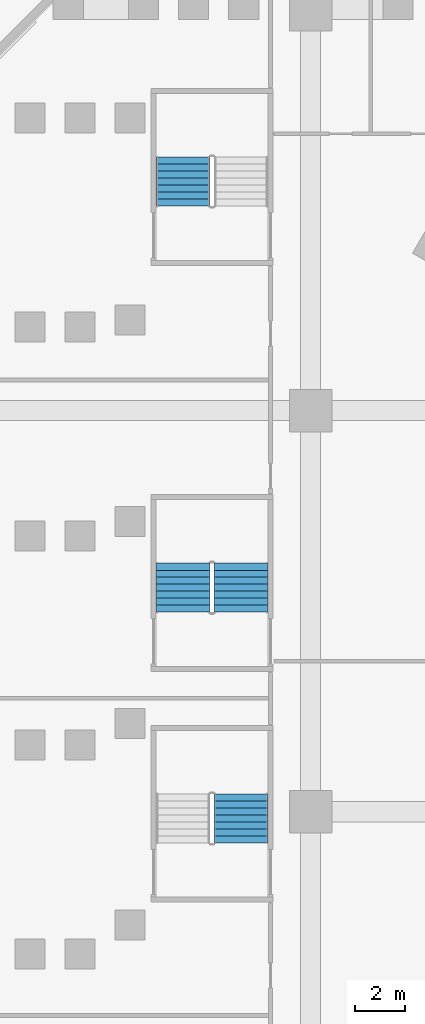
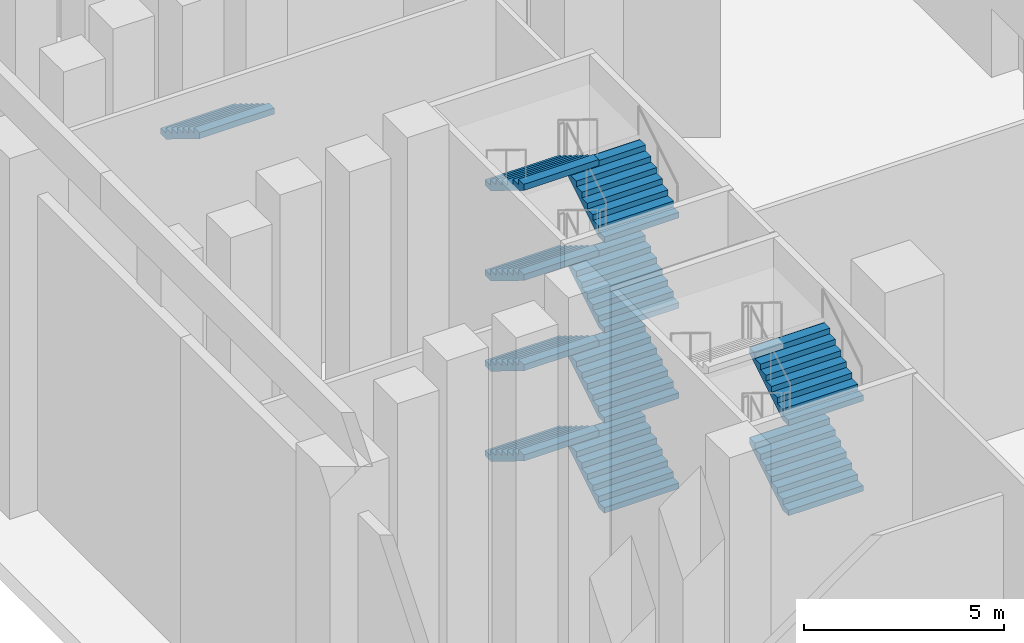
# One storey, part 15 of 31: 11 stair flights, 3 elements without a shape of their own.
"""IFC4 building model written with IfcOpenShell, lengths in metres."""

from ifc_helpers import new_model, si_unit, direction, frame, origin, place, context, subcontext, project, spatial, faceted_brep, source, transform, mapped, material, type_object, element, aggregate, save


model = new_model("IFC4")

# Units and contexts
model_context = context("Model", 3, precision=1e-05, world=origin(), true_north=direction((0.0, 1.0)))
body_context = subcontext(model_context, "Body", "Model", "MODEL_VIEW")
ifc_project = project(units=[si_unit("LENGTHUNIT", "METRE"), si_unit("AREAUNIT", "SQUARE_METRE"), si_unit("VOLUMEUNIT", "CUBIC_METRE"), si_unit("PLANEANGLEUNIT", "RADIAN"), si_unit("MASSUNIT", "GRAM", prefix="KILO")], contexts=[model_context])

# Site, building, storey
site_placement = place(None, origin())
site = spatial("IfcSite", under=ifc_project, at=site_placement, CompositionType="ELEMENT")
building_placement = place(site_placement, origin())
building = spatial("IfcBuilding", under=site, at=building_placement, Name="Calabash Gate Tower", CompositionType="ELEMENT")
storey_placement = place(building_placement, frame((0.0, 0.0, 9.0)))
storey = spatial("IfcBuildingStorey", under=building, at=storey_placement, Name="L01", CompositionType="ELEMENT", Elevation=9.0)

# Stair, stair flights
ifc_material_1 = material(Name="Concrete C40/50", Category="concrete")
stair_type = type_object("IfcStairType", Name="Public stair 64 risers of 171.9 mm", PredefinedType="HALF_TURN_STAIR", material=ifc_material_1)
stair_1_placement = place(storey_placement, origin())
stair_1 = element("IfcStair", 1, at=stair_1_placement, inside=storey, type_object=stair_type, Name="L01 Public Stair PS3", PredefinedType="HALF_TURN_STAIR")
ifc_material_2 = material(Name="Concrete C40/50", Category="concrete")
stair_flight_type = type_object("IfcStairFlightType", Name="Exit stair flight SFL", PredefinedType="STRAIGHT", material=ifc_material_2)
shared_shape = source(origin(), body_context, "Body", "Brep", [
    faceted_brep([(-0.0009765625, -1.080078125, 0.0), (0.285888671875, -1.080078125, 0.0), (1.9541015625, -1.080078125, 1.027099609375), (-0.0009765625, 1.080078125, 0.0), (1.9541015625, 1.080078125, 1.027099609375), (0.285888671875, 1.080078125, 0.0), (1.9541015625, -1.080078125, 1.215087890625), (1.952880859375, -1.080078125, 1.215087890625), (1.952880859375, 1.080078125, 1.215087890625), (1.9541015625, 1.080078125, 1.215087890625), (1.952880859375, -1.080078125, 1.203125), (1.952880859375, 1.080078125, 1.203125), (1.674072265625, -1.080078125, 1.203125), (1.674072265625, 1.080078125, 1.203125), (1.674072265625, -1.080078125, 1.03125), (1.674072265625, 1.080078125, 1.03125), (1.39501953125, -1.080078125, 1.03125), (1.39501953125, 1.080078125, 1.03125), (1.39501953125, -1.080078125, 0.859375), (1.39501953125, 1.080078125, 0.859375), (1.115966796875, -1.080078125, 0.859375), (1.115966796875, -1.080078125, 0.6875), (1.115966796875, 1.080078125, 0.6875), (1.115966796875, 1.080078125, 0.859375), (0.8369140625, -1.080078125, 0.6875), (0.8369140625, -1.080078125, 0.515625), (0.8369140625, 1.080078125, 0.515625), (0.8369140625, 1.080078125, 0.6875), (0.55810546875, -1.080078125, 0.515625), (0.55810546875, -1.080078125, 0.34375), (0.55810546875, 1.080078125, 0.34375), (0.55810546875, 1.080078125, 0.515625), (0.279052734375, -1.080078125, 0.34375), (0.279052734375, -1.080078125, 0.171875), (0.279052734375, 1.080078125, 0.171875), (0.279052734375, 1.080078125, 0.34375), (-0.0009765625, -1.080078125, 0.171875), (-0.0009765625, 1.080078125, 0.171875), (0.285888671875, -0.431884765625, 0.0), (1.9541015625, -0.431884765625, 1.027099609375), (0.285888671875, -0.370361328125, 0.0), (1.9541015625, -0.370361328125, 1.027099609375), (0.285888671875, -0.30859375, 0.0), (1.9541015625, -0.30859375, 1.027099609375), (0.285888671875, -0.246826171875, 0.0), (1.9541015625, -0.246826171875, 1.027099609375), (0.285888671875, -0.18505859375, 0.0), (1.9541015625, -0.18505859375, 1.027099609375), (0.285888671875, -0.12353515625, 0.0), (1.9541015625, -0.12353515625, 1.027099609375), (0.285888671875, -0.061767578125, 0.0), (1.9541015625, -0.061767578125, 1.027099609375), (0.285888671875, 0.0, 0.0), (1.9541015625, 0.0, 1.027099609375), (0.285888671875, 0.061767578125, 0.0), (1.9541015625, 0.061767578125, 1.027099609375), (0.285888671875, 0.12353515625, 0.0), (1.9541015625, 0.12353515625, 1.027099609375), (0.285888671875, 0.18505859375, 0.0), (1.9541015625, 0.18505859375, 1.027099609375), (0.285888671875, 0.246826171875, 0.0), (1.9541015625, 0.246826171875, 1.027099609375), (0.285888671875, 0.30859375, 0.0), (1.9541015625, 0.30859375, 1.027099609375), (0.285888671875, 0.370361328125, 0.0), (1.9541015625, 0.370361328125, 1.027099609375), (0.285888671875, 0.431884765625, 0.0), (1.9541015625, 0.431884765625, 1.027099609375), (1.9541015625, -0.431884765625, 1.215087890625), (1.9541015625, -0.370361328125, 1.215087890625), (1.9541015625, -0.30859375, 1.215087890625), (1.9541015625, -0.246826171875, 1.215087890625), (1.9541015625, -0.18505859375, 1.215087890625), (1.9541015625, -0.12353515625, 1.215087890625), (1.9541015625, -0.061767578125, 1.215087890625), (1.9541015625, 0.0, 1.215087890625), (1.9541015625, 0.061767578125, 1.215087890625), (1.9541015625, 0.12353515625, 1.215087890625), (1.9541015625, 0.18505859375, 1.215087890625), (1.9541015625, 0.246826171875, 1.215087890625), (1.9541015625, 0.30859375, 1.215087890625), (1.9541015625, 0.370361328125, 1.215087890625), (1.9541015625, 0.431884765625, 1.215087890625), (1.952880859375, -0.431884765625, 1.215087890625), (1.952880859375, -0.370361328125, 1.215087890625), (1.952880859375, -0.30859375, 1.215087890625), (1.952880859375, -0.246826171875, 1.215087890625), (1.952880859375, -0.18505859375, 1.215087890625), (1.952880859375, -0.12353515625, 1.215087890625), (1.952880859375, -0.061767578125, 1.215087890625), (1.952880859375, 0.0, 1.215087890625), (1.952880859375, 0.061767578125, 1.215087890625), (1.952880859375, 0.12353515625, 1.215087890625), (1.952880859375, 0.18505859375, 1.215087890625), (1.952880859375, 0.246826171875, 1.215087890625), (1.952880859375, 0.30859375, 1.215087890625), (1.952880859375, 0.370361328125, 1.215087890625), (1.952880859375, 0.431884765625, 1.215087890625), (1.952880859375, -0.431884765625, 1.203125), (1.952880859375, -0.370361328125, 1.203125), (1.952880859375, -0.30859375, 1.203125), (1.952880859375, -0.246826171875, 1.203125), (1.952880859375, -0.18505859375, 1.203125), (1.952880859375, -0.12353515625, 1.203125), (1.952880859375, -0.061767578125, 1.203125), (1.952880859375, 0.0, 1.203125), (1.952880859375, 0.061767578125, 1.203125), (1.952880859375, 0.12353515625, 1.203125), (1.952880859375, 0.18505859375, 1.203125), (1.952880859375, 0.246826171875, 1.203125), (1.952880859375, 0.30859375, 1.203125), (1.952880859375, 0.370361328125, 1.203125), (1.952880859375, 0.431884765625, 1.203125), (1.674072265625, -0.431884765625, 1.203125), (1.674072265625, -0.370361328125, 1.203125), (1.674072265625, -0.30859375, 1.203125), (1.674072265625, -0.246826171875, 1.203125), (1.674072265625, -0.18505859375, 1.203125), (1.674072265625, -0.12353515625, 1.203125), (1.674072265625, -0.061767578125, 1.203125), (1.674072265625, 0.0, 1.203125), (1.674072265625, 0.061767578125, 1.203125), (1.674072265625, 0.12353515625, 1.203125), (1.674072265625, 0.18505859375, 1.203125), (1.674072265625, 0.246826171875, 1.203125), (1.674072265625, 0.30859375, 1.203125), (1.674072265625, 0.370361328125, 1.203125), (1.674072265625, 0.431884765625, 1.203125), (1.674072265625, -0.431884765625, 1.03125), (1.674072265625, -0.370361328125, 1.03125), (1.674072265625, -0.30859375, 1.03125), (1.674072265625, -0.246826171875, 1.03125), (1.674072265625, -0.18505859375, 1.03125), (1.674072265625, -0.12353515625, 1.03125), (1.674072265625, -0.061767578125, 1.03125), (1.674072265625, 0.0, 1.03125), (1.674072265625, 0.061767578125, 1.03125), (1.674072265625, 0.12353515625, 1.03125), (1.674072265625, 0.18505859375, 1.03125), (1.674072265625, 0.246826171875, 1.03125), (1.674072265625, 0.30859375, 1.03125), (1.674072265625, 0.370361328125, 1.03125), (1.674072265625, 0.431884765625, 1.03125), (1.39501953125, -0.431884765625, 1.03125), (1.39501953125, -0.370361328125, 1.03125), (1.39501953125, -0.30859375, 1.03125), (1.39501953125, -0.246826171875, 1.03125), (1.39501953125, -0.18505859375, 1.03125), (1.39501953125, -0.12353515625, 1.03125), (1.39501953125, -0.061767578125, 1.03125), (1.39501953125, 0.0, 1.03125), (1.39501953125, 0.061767578125, 1.03125), (1.39501953125, 0.12353515625, 1.03125), (1.39501953125, 0.18505859375, 1.03125), (1.39501953125, 0.246826171875, 1.03125), (1.39501953125, 0.30859375, 1.03125), (1.39501953125, 0.370361328125, 1.03125), (1.39501953125, 0.431884765625, 1.03125), (1.39501953125, -0.431884765625, 0.859375), (1.39501953125, -0.370361328125, 0.859375), (1.39501953125, -0.30859375, 0.859375), (1.39501953125, -0.246826171875, 0.859375), (1.39501953125, -0.18505859375, 0.859375), (1.39501953125, -0.12353515625, 0.859375), (1.39501953125, -0.061767578125, 0.859375), (1.39501953125, 0.0, 0.859375), (1.39501953125, 0.061767578125, 0.859375), (1.39501953125, 0.12353515625, 0.859375), (1.39501953125, 0.18505859375, 0.859375), (1.39501953125, 0.246826171875, 0.859375), (1.39501953125, 0.30859375, 0.859375), (1.39501953125, 0.370361328125, 0.859375), (1.39501953125, 0.431884765625, 0.859375), (1.115966796875, -0.431884765625, 0.859375), (1.115966796875, -0.370361328125, 0.859375), (1.115966796875, -0.30859375, 0.859375), (1.115966796875, -0.246826171875, 0.859375), (1.115966796875, -0.18505859375, 0.859375), (1.115966796875, -0.12353515625, 0.859375), (1.115966796875, -0.061767578125, 0.859375), (1.115966796875, 0.0, 0.859375), (1.115966796875, 0.061767578125, 0.859375), (1.115966796875, 0.12353515625, 0.859375), (1.115966796875, 0.18505859375, 0.859375), (1.115966796875, 0.246826171875, 0.859375), (1.115966796875, 0.30859375, 0.859375), (1.115966796875, 0.370361328125, 0.859375), (1.115966796875, 0.431884765625, 0.859375), (1.115966796875, -0.431884765625, 0.6875), (1.115966796875, -0.370361328125, 0.6875), (1.115966796875, -0.30859375, 0.6875), (1.115966796875, -0.246826171875, 0.6875), (1.115966796875, -0.18505859375, 0.6875), (1.115966796875, -0.12353515625, 0.6875), (1.115966796875, -0.061767578125, 0.6875), (1.115966796875, 0.0, 0.6875), (1.115966796875, 0.061767578125, 0.6875), (1.115966796875, 0.12353515625, 0.6875), (1.115966796875, 0.18505859375, 0.6875), (1.115966796875, 0.246826171875, 0.6875), (1.115966796875, 0.30859375, 0.6875), (1.115966796875, 0.370361328125, 0.6875), (1.115966796875, 0.431884765625, 0.6875), (0.8369140625, -0.431884765625, 0.6875), (0.8369140625, -0.370361328125, 0.6875), (0.8369140625, -0.30859375, 0.6875), (0.8369140625, -0.246826171875, 0.6875), (0.8369140625, -0.18505859375, 0.6875), (0.8369140625, -0.12353515625, 0.6875), (0.8369140625, -0.061767578125, 0.6875), (0.8369140625, 0.0, 0.6875), (0.8369140625, 0.061767578125, 0.6875), (0.8369140625, 0.12353515625, 0.6875), (0.8369140625, 0.18505859375, 0.6875), (0.8369140625, 0.246826171875, 0.6875), (0.8369140625, 0.30859375, 0.6875), (0.8369140625, 0.370361328125, 0.6875), (0.8369140625, 0.431884765625, 0.6875), (0.8369140625, -0.431884765625, 0.515625), (0.8369140625, -0.370361328125, 0.515625), (0.8369140625, -0.30859375, 0.515625), (0.8369140625, -0.246826171875, 0.515625), (0.8369140625, -0.18505859375, 0.515625), (0.8369140625, -0.12353515625, 0.515625), (0.8369140625, -0.061767578125, 0.515625), (0.8369140625, 0.0, 0.515625), (0.8369140625, 0.061767578125, 0.515625), (0.8369140625, 0.12353515625, 0.515625), (0.8369140625, 0.18505859375, 0.515625), (0.8369140625, 0.246826171875, 0.515625), (0.8369140625, 0.30859375, 0.515625), (0.8369140625, 0.370361328125, 0.515625), (0.8369140625, 0.431884765625, 0.515625), (0.55810546875, -0.431884765625, 0.515625), (0.55810546875, -0.370361328125, 0.515625), (0.55810546875, -0.30859375, 0.515625), (0.55810546875, -0.246826171875, 0.515625), (0.55810546875, -0.18505859375, 0.515625), (0.55810546875, -0.12353515625, 0.515625), (0.55810546875, -0.061767578125, 0.515625), (0.55810546875, 0.0, 0.515625), (0.55810546875, 0.061767578125, 0.515625), (0.55810546875, 0.12353515625, 0.515625), (0.55810546875, 0.18505859375, 0.515625), (0.55810546875, 0.246826171875, 0.515625), (0.55810546875, 0.30859375, 0.515625), (0.55810546875, 0.370361328125, 0.515625), (0.55810546875, 0.431884765625, 0.515625), (0.55810546875, -0.431884765625, 0.34375), (0.55810546875, -0.370361328125, 0.34375), (0.55810546875, -0.30859375, 0.34375), (0.55810546875, -0.246826171875, 0.34375), (0.55810546875, -0.18505859375, 0.34375), (0.55810546875, -0.12353515625, 0.34375), (0.55810546875, -0.061767578125, 0.34375), (0.55810546875, 0.0, 0.34375), (0.55810546875, 0.061767578125, 0.34375), (0.55810546875, 0.12353515625, 0.34375), (0.55810546875, 0.18505859375, 0.34375), (0.55810546875, 0.246826171875, 0.34375), (0.55810546875, 0.30859375, 0.34375), (0.55810546875, 0.370361328125, 0.34375), (0.55810546875, 0.431884765625, 0.34375), (0.279052734375, -0.431884765625, 0.34375), (0.279052734375, -0.370361328125, 0.34375), (0.279052734375, -0.30859375, 0.34375), (0.279052734375, -0.246826171875, 0.34375), (0.279052734375, -0.18505859375, 0.34375), (0.279052734375, -0.12353515625, 0.34375), (0.279052734375, -0.061767578125, 0.34375), (0.279052734375, 0.0, 0.34375), (0.279052734375, 0.061767578125, 0.34375), (0.279052734375, 0.12353515625, 0.34375), (0.279052734375, 0.18505859375, 0.34375), (0.279052734375, 0.246826171875, 0.34375), (0.279052734375, 0.30859375, 0.34375), (0.279052734375, 0.370361328125, 0.34375), (0.279052734375, 0.431884765625, 0.34375), (0.279052734375, -0.431884765625, 0.171875), (0.279052734375, -0.370361328125, 0.171875), (0.279052734375, -0.30859375, 0.171875), (0.279052734375, -0.246826171875, 0.171875), (0.279052734375, -0.18505859375, 0.171875), (0.279052734375, -0.12353515625, 0.171875), (0.279052734375, -0.061767578125, 0.171875), (0.279052734375, 0.0, 0.171875), (0.279052734375, 0.061767578125, 0.171875), (0.279052734375, 0.12353515625, 0.171875), (0.279052734375, 0.18505859375, 0.171875), (0.279052734375, 0.246826171875, 0.171875), (0.279052734375, 0.30859375, 0.171875), (0.279052734375, 0.370361328125, 0.171875), (0.279052734375, 0.431884765625, 0.171875), (-0.0009765625, -0.431884765625, 0.171875), (-0.0009765625, -0.370361328125, 0.171875), (-0.0009765625, -0.30859375, 0.171875), (-0.0009765625, -0.246826171875, 0.171875), (-0.0009765625, -0.18505859375, 0.171875), (-0.0009765625, -0.12353515625, 0.171875), (-0.0009765625, -0.061767578125, 0.171875), (-0.0009765625, 0.0, 0.171875), (-0.0009765625, 0.061767578125, 0.171875), (-0.0009765625, 0.12353515625, 0.171875), (-0.0009765625, 0.18505859375, 0.171875), (-0.0009765625, 0.246826171875, 0.171875), (-0.0009765625, 0.30859375, 0.171875), (-0.0009765625, 0.370361328125, 0.171875), (-0.0009765625, 0.431884765625, 0.171875), (-0.0009765625, -0.431884765625, 0.0), (-0.0009765625, -0.370361328125, 0.0), (-0.0009765625, -0.30859375, 0.0), (-0.0009765625, -0.246826171875, 0.0), (-0.0009765625, -0.18505859375, 0.0), (-0.0009765625, -0.12353515625, 0.0), (-0.0009765625, -0.061767578125, 0.0), (-0.0009765625, 0.0, 0.0), (-0.0009765625, 0.061767578125, 0.0), (-0.0009765625, 0.12353515625, 0.0), (-0.0009765625, 0.18505859375, 0.0), (-0.0009765625, 0.246826171875, 0.0), (-0.0009765625, 0.30859375, 0.0), (-0.0009765625, 0.370361328125, 0.0), (-0.0009765625, 0.431884765625, 0.0)], [[[0, 1, 2]], [[3, 4, 5]], [[2, 6, 7]], [[4, 8, 9]], [[2, 7, 10]], [[4, 11, 8]], [[2, 10, 12]], [[4, 13, 11]], [[2, 12, 14]], [[4, 15, 13]], [[2, 14, 16]], [[4, 17, 15]], [[2, 16, 18]], [[4, 19, 17]], [[18, 20, 21]], [[19, 22, 23]], [[2, 18, 21]], [[4, 22, 19]], [[21, 24, 25]], [[22, 26, 27]], [[2, 21, 25]], [[4, 26, 22]], [[25, 28, 29]], [[26, 30, 31]], [[2, 25, 29]], [[4, 30, 26]], [[29, 32, 33]], [[30, 34, 35]], [[2, 29, 33]], [[4, 34, 30]], [[0, 2, 33]], [[3, 34, 4]], [[33, 36, 0]], [[34, 3, 37]], [[1, 38, 2]], [[38, 39, 2]], [[38, 40, 39]], [[40, 41, 39]], [[40, 42, 41]], [[42, 43, 41]], [[42, 44, 43]], [[44, 45, 43]], [[44, 46, 45]], [[46, 47, 45]], [[46, 48, 47]], [[48, 49, 47]], [[48, 50, 49]], [[50, 51, 49]], [[50, 52, 51]], [[52, 53, 51]], [[52, 54, 55]], [[52, 55, 53]], [[54, 56, 57]], [[54, 57, 55]], [[56, 58, 59]], [[56, 59, 57]], [[58, 60, 61]], [[58, 61, 59]], [[60, 62, 63]], [[60, 63, 61]], [[62, 64, 65]], [[62, 65, 63]], [[64, 66, 67]], [[64, 67, 65]], [[66, 5, 4]], [[66, 4, 67]], [[2, 39, 6]], [[39, 68, 6]], [[39, 41, 68]], [[41, 69, 68]], [[41, 43, 69]], [[43, 70, 69]], [[43, 45, 70]], [[45, 71, 70]], [[45, 47, 71]], [[47, 72, 71]], [[47, 49, 72]], [[49, 73, 72]], [[49, 51, 73]], [[51, 74, 73]], [[51, 53, 74]], [[53, 75, 74]], [[53, 55, 76]], [[53, 76, 75]], [[55, 57, 77]], [[55, 77, 76]], [[57, 59, 78]], [[57, 78, 77]], [[59, 61, 79]], [[59, 79, 78]], [[61, 63, 80]], [[61, 80, 79]], [[63, 65, 81]], [[63, 81, 80]], [[65, 67, 82]], [[65, 82, 81]], [[67, 4, 9]], [[67, 9, 82]], [[6, 68, 7]], [[68, 83, 7]], [[68, 69, 83]], [[69, 84, 83]], [[69, 70, 84]], [[70, 85, 84]], [[70, 71, 85]], [[71, 86, 85]], [[71, 72, 86]], [[72, 87, 86]], [[72, 73, 87]], [[73, 88, 87]], [[73, 74, 88]], [[74, 89, 88]], [[74, 75, 89]], [[75, 90, 89]], [[75, 76, 91]], [[75, 91, 90]], [[76, 77, 92]], [[76, 92, 91]], [[77, 78, 93]], [[77, 93, 92]], [[78, 79, 94]], [[78, 94, 93]], [[79, 80, 95]], [[79, 95, 94]], [[80, 81, 96]], [[80, 96, 95]], [[81, 82, 97]], [[81, 97, 96]], [[82, 9, 8]], [[82, 8, 97]], [[7, 83, 10]], [[83, 98, 10]], [[83, 84, 98]], [[84, 99, 98]], [[84, 85, 99]], [[85, 100, 99]], [[85, 86, 100]], [[86, 101, 100]], [[86, 87, 101]], [[87, 102, 101]], [[87, 88, 102]], [[88, 103, 102]], [[88, 89, 103]], [[89, 104, 103]], [[89, 90, 104]], [[90, 105, 104]], [[90, 91, 106]], [[90, 106, 105]], [[91, 92, 107]], [[91, 107, 106]], [[92, 93, 108]], [[92, 108, 107]], [[93, 94, 109]], [[93, 109, 108]], [[94, 95, 110]], [[94, 110, 109]], [[95, 96, 111]], [[95, 111, 110]], [[96, 97, 112]], [[96, 112, 111]], [[97, 8, 11]], [[97, 11, 112]], [[10, 98, 12]], [[98, 113, 12]], [[98, 99, 113]], [[99, 114, 113]], [[99, 100, 114]], [[100, 115, 114]], [[100, 101, 115]], [[101, 116, 115]], [[101, 102, 116]], [[102, 117, 116]], [[102, 103, 117]], [[103, 118, 117]], [[103, 104, 118]], [[104, 119, 118]], [[104, 105, 119]], [[105, 120, 119]], [[105, 106, 121]], [[105, 121, 120]], [[106, 107, 122]], [[106, 122, 121]], [[107, 108, 123]], [[107, 123, 122]], [[108, 109, 124]], [[108, 124, 123]], [[109, 110, 125]], [[109, 125, 124]], [[110, 111, 126]], [[110, 126, 125]], [[111, 112, 127]], [[111, 127, 126]], [[112, 11, 13]], [[112, 13, 127]], [[12, 113, 14]], [[113, 128, 14]], [[113, 114, 128]], [[114, 129, 128]], [[114, 115, 129]], [[115, 130, 129]], [[115, 116, 130]], [[116, 131, 130]], [[116, 117, 131]], [[117, 132, 131]], [[117, 118, 132]], [[118, 133, 132]], [[118, 119, 133]], [[119, 134, 133]], [[119, 120, 134]], [[120, 135, 134]], [[120, 121, 136]], [[120, 136, 135]], [[121, 122, 137]], [[121, 137, 136]], [[122, 123, 138]], [[122, 138, 137]], [[123, 124, 139]], [[123, 139, 138]], [[124, 125, 140]], [[124, 140, 139]], [[125, 126, 141]], [[125, 141, 140]], [[126, 127, 142]], [[126, 142, 141]], [[127, 13, 15]], [[127, 15, 142]], [[14, 128, 16]], [[128, 143, 16]], [[128, 129, 143]], [[129, 144, 143]], [[129, 130, 144]], [[130, 145, 144]], [[130, 131, 145]], [[131, 146, 145]], [[131, 132, 146]], [[132, 147, 146]], [[132, 133, 147]], [[133, 148, 147]], [[133, 134, 148]], [[134, 149, 148]], [[134, 135, 149]], [[135, 150, 149]], [[135, 136, 151]], [[135, 151, 150]], [[136, 137, 152]], [[136, 152, 151]], [[137, 138, 153]], [[137, 153, 152]], [[138, 139, 154]], [[138, 154, 153]], [[139, 140, 155]], [[139, 155, 154]], [[140, 141, 156]], [[140, 156, 155]], [[141, 142, 157]], [[141, 157, 156]], [[142, 15, 17]], [[142, 17, 157]], [[16, 143, 18]], [[143, 158, 18]], [[143, 144, 158]], [[144, 159, 158]], [[144, 145, 159]], [[145, 160, 159]], [[145, 146, 160]], [[146, 161, 160]], [[146, 147, 161]], [[147, 162, 161]], [[147, 148, 162]], [[148, 163, 162]], [[148, 149, 163]], [[149, 164, 163]], [[149, 150, 164]], [[150, 165, 164]], [[150, 151, 166]], [[150, 166, 165]], [[151, 152, 167]], [[151, 167, 166]], [[152, 153, 168]], [[152, 168, 167]], [[153, 154, 169]], [[153, 169, 168]], [[154, 155, 170]], [[154, 170, 169]], [[155, 156, 171]], [[155, 171, 170]], [[156, 157, 172]], [[156, 172, 171]], [[157, 17, 19]], [[157, 19, 172]], [[18, 158, 20]], [[158, 173, 20]], [[158, 159, 173]], [[159, 174, 173]], [[159, 160, 174]], [[160, 175, 174]], [[160, 161, 175]], [[161, 176, 175]], [[161, 162, 176]], [[162, 177, 176]], [[162, 163, 177]], [[163, 178, 177]], [[163, 164, 178]], [[164, 179, 178]], [[164, 165, 179]], [[165, 180, 179]], [[165, 166, 181]], [[165, 181, 180]], [[166, 167, 182]], [[166, 182, 181]], [[167, 168, 183]], [[167, 183, 182]], [[168, 169, 184]], [[168, 184, 183]], [[169, 170, 185]], [[169, 185, 184]], [[170, 171, 186]], [[170, 186, 185]], [[171, 172, 187]], [[171, 187, 186]], [[172, 19, 23]], [[172, 23, 187]], [[20, 173, 21]], [[173, 188, 21]], [[173, 174, 188]], [[174, 189, 188]], [[174, 175, 189]], [[175, 190, 189]], [[175, 176, 190]], [[176, 191, 190]], [[176, 177, 191]], [[177, 192, 191]], [[177, 178, 192]], [[178, 193, 192]], [[178, 179, 193]], [[179, 194, 193]], [[179, 180, 194]], [[180, 195, 194]], [[180, 181, 196]], [[180, 196, 195]], [[181, 182, 197]], [[181, 197, 196]], [[182, 183, 198]], [[182, 198, 197]], [[183, 184, 199]], [[183, 199, 198]], [[184, 185, 200]], [[184, 200, 199]], [[185, 186, 201]], [[185, 201, 200]], [[186, 187, 202]], [[186, 202, 201]], [[187, 23, 22]], [[187, 22, 202]], [[21, 188, 24]], [[188, 203, 24]], [[188, 189, 203]], [[189, 204, 203]], [[189, 190, 204]], [[190, 205, 204]], [[190, 191, 205]], [[191, 206, 205]], [[191, 192, 206]], [[192, 207, 206]], [[192, 193, 207]], [[193, 208, 207]], [[193, 194, 208]], [[194, 209, 208]], [[194, 195, 209]], [[195, 210, 209]], [[195, 196, 211]], [[195, 211, 210]], [[196, 197, 212]], [[196, 212, 211]], [[197, 198, 213]], [[197, 213, 212]], [[198, 199, 214]], [[198, 214, 213]], [[199, 200, 215]], [[199, 215, 214]], [[200, 201, 216]], [[200, 216, 215]], [[201, 202, 217]], [[201, 217, 216]], [[202, 22, 27]], [[202, 27, 217]], [[24, 203, 25]], [[203, 218, 25]], [[203, 204, 218]], [[204, 219, 218]], [[204, 205, 219]], [[205, 220, 219]], [[205, 206, 220]], [[206, 221, 220]], [[206, 207, 221]], [[207, 222, 221]], [[207, 208, 222]], [[208, 223, 222]], [[208, 209, 223]], [[209, 224, 223]], [[209, 210, 224]], [[210, 225, 224]], [[210, 211, 226]], [[210, 226, 225]], [[211, 212, 227]], [[211, 227, 226]], [[212, 213, 228]], [[212, 228, 227]], [[213, 214, 229]], [[213, 229, 228]], [[214, 215, 230]], [[214, 230, 229]], [[215, 216, 231]], [[215, 231, 230]], [[216, 217, 232]], [[216, 232, 231]], [[217, 27, 26]], [[217, 26, 232]], [[25, 218, 28]], [[218, 233, 28]], [[218, 219, 233]], [[219, 234, 233]], [[219, 220, 234]], [[220, 235, 234]], [[220, 221, 235]], [[221, 236, 235]], [[221, 222, 236]], [[222, 237, 236]], [[222, 223, 237]], [[223, 238, 237]], [[223, 224, 238]], [[224, 239, 238]], [[224, 225, 239]], [[225, 240, 239]], [[225, 226, 241]], [[225, 241, 240]], [[226, 227, 242]], [[226, 242, 241]], [[227, 228, 243]], [[227, 243, 242]], [[228, 229, 244]], [[228, 244, 243]], [[229, 230, 245]], [[229, 245, 244]], [[230, 231, 246]], [[230, 246, 245]], [[231, 232, 247]], [[231, 247, 246]], [[232, 26, 31]], [[232, 31, 247]], [[28, 233, 29]], [[233, 248, 29]], [[233, 234, 248]], [[234, 249, 248]], [[234, 235, 249]], [[235, 250, 249]], [[235, 236, 250]], [[236, 251, 250]], [[236, 237, 251]], [[237, 252, 251]], [[237, 238, 252]], [[238, 253, 252]], [[238, 239, 253]], [[239, 254, 253]], [[239, 240, 254]], [[240, 255, 254]], [[240, 241, 256]], [[240, 256, 255]], [[241, 242, 257]], [[241, 257, 256]], [[242, 243, 258]], [[242, 258, 257]], [[243, 244, 259]], [[243, 259, 258]], [[244, 245, 260]], [[244, 260, 259]], [[245, 246, 261]], [[245, 261, 260]], [[246, 247, 262]], [[246, 262, 261]], [[247, 31, 30]], [[247, 30, 262]], [[29, 248, 32]], [[248, 263, 32]], [[248, 249, 263]], [[249, 264, 263]], [[249, 250, 264]], [[250, 265, 264]], [[250, 251, 265]], [[251, 266, 265]], [[251, 252, 266]], [[252, 267, 266]], [[252, 253, 267]], [[253, 268, 267]], [[253, 254, 268]], [[254, 269, 268]], [[254, 255, 269]], [[255, 270, 269]], [[255, 256, 271]], [[255, 271, 270]], [[256, 257, 272]], [[256, 272, 271]], [[257, 258, 273]], [[257, 273, 272]], [[258, 259, 274]], [[258, 274, 273]], [[259, 260, 275]], [[259, 275, 274]], [[260, 261, 276]], [[260, 276, 275]], [[261, 262, 277]], [[261, 277, 276]], [[262, 30, 35]], [[262, 35, 277]], [[32, 263, 33]], [[263, 278, 33]], [[263, 264, 278]], [[264, 279, 278]], [[264, 265, 279]], [[265, 280, 279]], [[265, 266, 280]], [[266, 281, 280]], [[266, 267, 281]], [[267, 282, 281]], [[267, 268, 282]], [[268, 283, 282]], [[268, 269, 283]], [[269, 284, 283]], [[269, 270, 284]], [[270, 285, 284]], [[270, 271, 286]], [[270, 286, 285]], [[271, 272, 287]], [[271, 287, 286]], [[272, 273, 288]], [[272, 288, 287]], [[273, 274, 289]], [[273, 289, 288]], [[274, 275, 290]], [[274, 290, 289]], [[275, 276, 291]], [[275, 291, 290]], [[276, 277, 292]], [[276, 292, 291]], [[277, 35, 34]], [[277, 34, 292]], [[33, 278, 36]], [[278, 293, 36]], [[278, 279, 293]], [[279, 294, 293]], [[279, 280, 294]], [[280, 295, 294]], [[280, 281, 295]], [[281, 296, 295]], [[281, 282, 296]], [[282, 297, 296]], [[282, 283, 297]], [[283, 298, 297]], [[283, 284, 298]], [[284, 299, 298]], [[284, 285, 299]], [[285, 300, 299]], [[285, 286, 301]], [[285, 301, 300]], [[286, 287, 302]], [[286, 302, 301]], [[287, 288, 303]], [[287, 303, 302]], [[288, 289, 304]], [[288, 304, 303]], [[289, 290, 305]], [[289, 305, 304]], [[290, 291, 306]], [[290, 306, 305]], [[291, 292, 307]], [[291, 307, 306]], [[292, 34, 37]], [[292, 37, 307]], [[36, 293, 0]], [[293, 308, 0]], [[293, 294, 308]], [[294, 309, 308]], [[294, 295, 309]], [[295, 310, 309]], [[295, 296, 310]], [[296, 311, 310]], [[296, 297, 311]], [[297, 312, 311]], [[297, 298, 312]], [[298, 313, 312]], [[298, 299, 313]], [[299, 314, 313]], [[299, 300, 314]], [[300, 315, 314]], [[300, 301, 316]], [[300, 316, 315]], [[301, 302, 317]], [[301, 317, 316]], [[302, 303, 318]], [[302, 318, 317]], [[303, 304, 319]], [[303, 319, 318]], [[304, 305, 320]], [[304, 320, 319]], [[305, 306, 321]], [[305, 321, 320]], [[306, 307, 322]], [[306, 322, 321]], [[307, 37, 3]], [[307, 3, 322]], [[0, 308, 1]], [[308, 38, 1]], [[308, 309, 38]], [[309, 40, 38]], [[309, 310, 40]], [[310, 42, 40]], [[310, 311, 42]], [[311, 44, 42]], [[311, 312, 44]], [[312, 46, 44]], [[312, 313, 46]], [[313, 48, 46]], [[313, 314, 48]], [[314, 50, 48]], [[314, 315, 50]], [[315, 52, 50]], [[315, 316, 54]], [[315, 54, 52]], [[316, 317, 56]], [[316, 56, 54]], [[317, 318, 58]], [[317, 58, 56]], [[318, 319, 60]], [[318, 60, 58]], [[319, 320, 62]], [[319, 62, 60]], [[320, 321, 64]], [[320, 64, 62]], [[321, 322, 66]], [[321, 66, 64]], [[322, 3, 5]], [[322, 5, 66]]]),
])
stair_flight_1_placement = place(storey_placement, frame((-34.780029296875, -9.239990234375, 5.5), z_axis=(0.0, 0.0, 1.0), x_axis=(0.0, 1.0, 0.0)))
stair_flight_1 = element("IfcStairFlight", 2, at=stair_flight_1_placement, type_object=stair_flight_type, Name="PS3 flight 5", NumberOfRisers=8, NumberOfTreads=7, PredefinedType="STRAIGHT", RiserHeight=0.171875, TreadLength=0.279, context=body_context, shape_type="MappedRepresentation", body=[
    mapped(shared_shape, transform((0.0, 0.0, 0.0), scale=1.0)),
])
stair_flight_2_placement = place(storey_placement, frame((-34.780029296875, -9.239990234375, 8.25), z_axis=(0.0, 0.0, 1.0), x_axis=(0.0, 1.0, 0.0)))
stair_flight_2 = element("IfcStairFlight", 3, at=stair_flight_2_placement, type_object=stair_flight_type, Name="PS3 flight 7", NumberOfRisers=8, NumberOfTreads=7, PredefinedType="STRAIGHT", RiserHeight=0.171875, TreadLength=0.279, context=body_context, shape_type="MappedRepresentation", body=[
    mapped(shared_shape, transform((0.0, 0.0, 0.0), scale=1.0)),
])
aggregate(stair_1, [stair_flight_1, stair_flight_2])

stair_2_placement = place(storey_placement, origin())
stair_2 = element("IfcStair", 4, at=stair_2_placement, inside=storey, type_object=stair_type, Name="L01 Public Stair PS4", PredefinedType="HALF_TURN_STAIR")
stair_flight_3_placement = place(storey_placement, frame((-34.780029296875, -0.0400390625, 0.0), z_axis=(0.0, 0.0, 1.0), x_axis=(0.0, 1.0, 0.0)))
stair_flight_3 = element("IfcStairFlight", 5, at=stair_flight_3_placement, type_object=stair_flight_type, Name="PS4 flight 1", NumberOfRisers=8, NumberOfTreads=7, PredefinedType="STRAIGHT", RiserHeight=0.171875, TreadLength=0.279, context=body_context, shape_type="MappedRepresentation", body=[
    mapped(shared_shape, transform((0.0, 0.0, 0.0), scale=1.0)),
])
stair_flight_4_placement = place(storey_placement, frame((-37.090087890625, 1.9130859375, 1.375), z_axis=(0.0, 0.0, 1.0), x_axis=(0.0, -1.0, 0.0)))
stair_flight_4 = element("IfcStairFlight", 6, at=stair_flight_4_placement, type_object=stair_flight_type, Name="PS4 flight 2", NumberOfRisers=8, NumberOfTreads=7, PredefinedType="STRAIGHT", RiserHeight=0.171875, TreadLength=0.279, context=body_context, shape_type="MappedRepresentation", body=[
    mapped(shared_shape, transform((0.0, 0.0, 0.0), scale=1.0)),
])
stair_flight_5_placement = place(storey_placement, frame((-34.780029296875, -0.0400390625, 2.75), z_axis=(0.0, 0.0, 1.0), x_axis=(0.0, 1.0, 0.0)))
stair_flight_5 = element("IfcStairFlight", 7, at=stair_flight_5_placement, type_object=stair_flight_type, Name="PS4 flight 3", NumberOfRisers=8, NumberOfTreads=7, PredefinedType="STRAIGHT", RiserHeight=0.171875, TreadLength=0.279, context=body_context, shape_type="MappedRepresentation", body=[
    mapped(shared_shape, transform((0.0, 0.0, 0.0), scale=1.0)),
])
stair_flight_6_placement = place(storey_placement, frame((-37.090087890625, 1.9130859375, 4.125), z_axis=(0.0, 0.0, 1.0), x_axis=(0.0, -1.0, 0.0)))
stair_flight_6 = element("IfcStairFlight", 8, at=stair_flight_6_placement, type_object=stair_flight_type, Name="PS4 flight 4", NumberOfRisers=8, NumberOfTreads=7, PredefinedType="STRAIGHT", RiserHeight=0.171875, TreadLength=0.279, context=body_context, shape_type="MappedRepresentation", body=[
    mapped(shared_shape, transform((0.0, 0.0, 0.0), scale=1.0)),
])
stair_flight_7_placement = place(storey_placement, frame((-34.780029296875, -0.0400390625, 5.5), z_axis=(0.0, 0.0, 1.0), x_axis=(0.0, 1.0, 0.0)))
stair_flight_7 = element("IfcStairFlight", 9, at=stair_flight_7_placement, type_object=stair_flight_type, Name="PS4 flight 5", NumberOfRisers=8, NumberOfTreads=7, PredefinedType="STRAIGHT", RiserHeight=0.171875, TreadLength=0.279, context=body_context, shape_type="MappedRepresentation", body=[
    mapped(shared_shape, transform((0.0, 0.0, 0.0), scale=1.0)),
])
stair_flight_8_placement = place(storey_placement, frame((-37.090087890625, 1.9130859375, 6.875), z_axis=(0.0, 0.0, 1.0), x_axis=(0.0, -1.0, 0.0)))
stair_flight_8 = element("IfcStairFlight", 10, at=stair_flight_8_placement, type_object=stair_flight_type, Name="PS4 flight 6", NumberOfRisers=8, NumberOfTreads=7, PredefinedType="STRAIGHT", RiserHeight=0.171875, TreadLength=0.279, context=body_context, shape_type="MappedRepresentation", body=[
    mapped(shared_shape, transform((0.0, 0.0, 0.0), scale=1.0)),
])
stair_flight_9_placement = place(storey_placement, frame((-34.780029296875, -0.0400390625, 8.25), z_axis=(0.0, 0.0, 1.0), x_axis=(0.0, 1.0, 0.0)))
stair_flight_9 = element("IfcStairFlight", 11, at=stair_flight_9_placement, type_object=stair_flight_type, Name="PS4 flight 7", NumberOfRisers=8, NumberOfTreads=7, PredefinedType="STRAIGHT", RiserHeight=0.171875, TreadLength=0.279, context=body_context, shape_type="MappedRepresentation", body=[
    mapped(shared_shape, transform((0.0, 0.0, 0.0), scale=1.0)),
])
stair_flight_10_placement = place(storey_placement, frame((-37.090087890625, 1.9130859375, 9.625), z_axis=(0.0, 0.0, 1.0), x_axis=(0.0, -1.0, 0.0)))
stair_flight_10 = element("IfcStairFlight", 12, at=stair_flight_10_placement, type_object=stair_flight_type, Name="PS4 flight 8", NumberOfRisers=8, NumberOfTreads=7, PredefinedType="STRAIGHT", RiserHeight=0.171875, TreadLength=0.279, context=body_context, shape_type="MappedRepresentation", body=[
    mapped(shared_shape, transform((0.0, 0.0, 0.0), scale=1.0)),
])
aggregate(stair_2, [stair_flight_3, stair_flight_4, stair_flight_5, stair_flight_6, stair_flight_7, stair_flight_8, stair_flight_9, stair_flight_10])

# Stair, stair flight
stair_3_placement = place(storey_placement, origin())
stair_3 = element("IfcStair", 13, at=stair_3_placement, inside=storey, type_object=stair_type, Name="L01 Public Stair PS5", PredefinedType="HALF_TURN_STAIR")
stair_flight_11_placement = place(storey_placement, frame((-37.090087890625, 18.113037109375, 1.375), z_axis=(0.0, 0.0, 1.0), x_axis=(0.0, -1.0, 0.0)))
stair_flight_11 = element("IfcStairFlight", 14, at=stair_flight_11_placement, type_object=stair_flight_type, Name="PS5 flight 2", NumberOfRisers=8, NumberOfTreads=7, PredefinedType="STRAIGHT", RiserHeight=0.171875, TreadLength=0.279, context=body_context, shape_type="MappedRepresentation", body=[
    mapped(shared_shape, transform((0.0, 0.0, 0.0), scale=1.0)),
])
aggregate(stair_3, [stair_flight_11])

save(model, "model.ifc")
